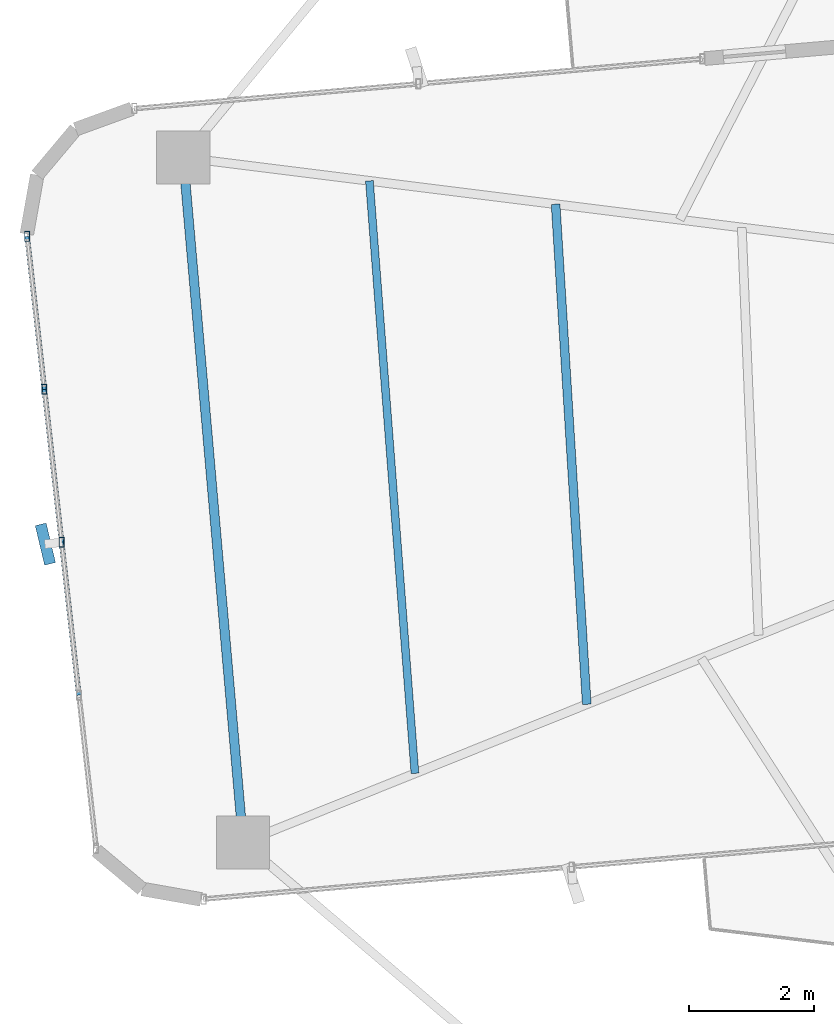
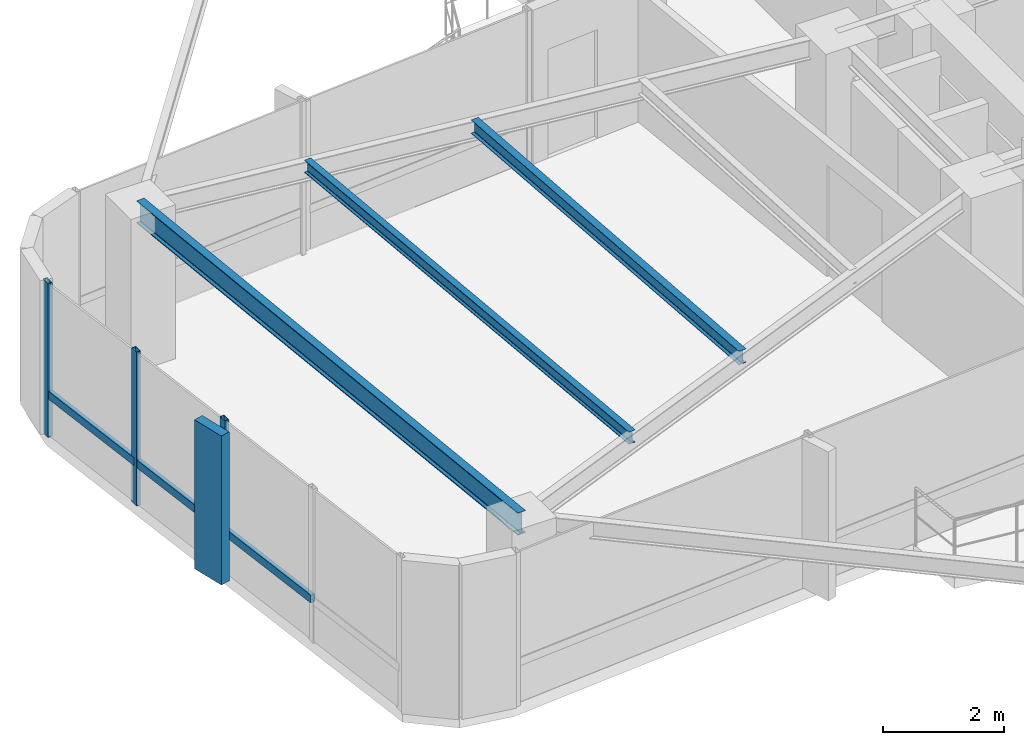
# One storey, part 8 of 24: 7 members, 3 beams, 1 element without a shape of its own.
"""IFC4 building model written with IfcOpenShell, lengths in metres."""

from ifc_helpers import new_model, si_unit, direction, frame, origin, origin_2d, place, context, subcontext, project, spatial, rectangle, hollow_rectangle, i_section, extrude, source, transform, mapped, material, material_profile, profile_set, type_object, element, aggregate, save


model = new_model("IFC4")

# Units and contexts
model_context = context("Model", 3, precision=1e-05, world=origin(), true_north=direction((0.0, 1.0)))
body_context = subcontext(model_context, "Body", "Model", "MODEL_VIEW")
ifc_project = project(units=[si_unit("LENGTHUNIT", "METRE"), si_unit("AREAUNIT", "SQUARE_METRE"), si_unit("VOLUMEUNIT", "CUBIC_METRE"), si_unit("PLANEANGLEUNIT", "RADIAN"), si_unit("MASSUNIT", "GRAM", prefix="KILO")], contexts=[model_context])

# Site, building, storey
site_placement = place(None, origin())
site = spatial("IfcSite", under=ifc_project, at=site_placement, CompositionType="ELEMENT")
building_placement = place(site_placement, origin())
building = spatial("IfcBuilding", under=site, at=building_placement, Name="Sahyath Konkavel Grand Hotel", CompositionType="ELEMENT")
storey_placement = place(building_placement, frame((0.0, 0.0, 188.60009765625)))
storey = spatial("IfcBuildingStorey", under=building, at=storey_placement, Name="L52", CompositionType="ELEMENT", Elevation=188.60009765625)

# Beams
ifc_material_1 = material(Name="Steel E350", Category="steel")
ifc_material_profile_1 = material_profile(ifc_material_1, i_section(OverallWidth=0.14990234375, OverallDepth=0.449951171875, WebThickness=0.009521484375, FlangeThickness=0.017333984375, FilletRadius=0.014892578125, at=origin_2d()), Name="ISMB 450")
ifc_profile_set_1 = profile_set([ifc_material_profile_1], Name="Steel E350")
beam_type_1 = type_object("IfcBeamType", Name="BM-ISMB450", PredefinedType="BEAM", material=ifc_profile_set_1)
shared_shape_1 = source(origin(), body_context, "Body", "SweptSolid", [
    extrude(i_section(OverallWidth=0.14990234375, OverallDepth=0.449951171875, WebThickness=0.009521484375, FlangeThickness=0.017333984375, FilletRadius=0.014892578125, at=origin_2d()), origin(), (0.0, 0.0, 1.0), 11.0),
])
beam_1_placement = place(storey_placement, frame((-17.912841796875, 3.953857421875, 2.885009765625), z_axis=(0.087157314015, -0.996194560622, 0.0), x_axis=(0.996194560622, 0.087157314015, 0.0)))
element("IfcBeam", 1, at=beam_1_placement, inside=storey, type_object=beam_type_1, Name="L52 Wing Tip Edge Beam W", PredefinedType="BEAM", context=body_context, shape_type="MappedRepresentation", body=[
    mapped(shared_shape_1, transform((0.0, 0.0, 0.0), scale=1.0)),
])
ifc_material_profile_2 = material_profile(ifc_material_1, i_section(OverallWidth=0.139892578125, OverallDepth=0.27490234375, WebThickness=0.00634765625, FlangeThickness=0.0087890625, FilletRadius=0.012939453125, at=origin_2d()), Name="ISLB 275")
ifc_profile_set_2 = profile_set([ifc_material_profile_2], Name="Steel E350")
beam_type_2 = type_object("IfcBeamType", Name="BM-ISLB275", PredefinedType="BEAM", material=ifc_profile_set_2)
shared_shape_2 = source(origin(), body_context, "Body", "SweptSolid", [
    extrude(i_section(OverallWidth=0.139892578125, OverallDepth=0.27490234375, WebThickness=0.00634765625, FlangeThickness=0.0087890625, FilletRadius=0.012939453125, at=origin_2d()), origin(), (0.0, 0.0, 1.0), 8.017822265625),
])
beam_2_placement = place(storey_placement, frame((-11.95458984375, 3.2080078125, 2.972412109375), z_axis=(0.062179233264, -0.998064999362, 0.0), x_axis=(0.998064999362, 0.062179233264, 0.0)))
element("IfcBeam", 2, at=beam_2_placement, inside=storey, type_object=beam_type_2, Name="L52 Secondary Floor Beam W-2", PredefinedType="BEAM", context=body_context, shape_type="MappedRepresentation", body=[
    mapped(shared_shape_2, transform((0.0, 0.0, 0.0), scale=1.0)),
])
ifc_material_profile_3 = material_profile(ifc_material_1, i_section(OverallWidth=0.125, OverallDepth=0.25, WebThickness=0.0068359375, FlangeThickness=0.012451171875, FilletRadius=0.012939453125, at=origin_2d()), Name="ISMB 250")
ifc_profile_set_3 = profile_set([ifc_material_profile_3], Name="Steel E350")
beam_type_3 = type_object("IfcBeamType", Name="BM-ISMB250", PredefinedType="BEAM", material=ifc_profile_set_3)
shared_shape_3 = source(origin(), body_context, "Body", "SweptSolid", [
    extrude(i_section(OverallWidth=0.125, OverallDepth=0.25, WebThickness=0.0068359375, FlangeThickness=0.012451171875, FilletRadius=0.012939453125, at=origin_2d()), origin(), (0.0, 0.0, 1.0), 9.508056640625),
])
beam_3_placement = place(storey_placement, frame((-14.93359375, 3.580810546875, 2.98486328125), z_axis=(0.076619921029, -0.997060373148, 0.0), x_axis=(0.997060373148, 0.076619921029, 0.0)))
element("IfcBeam", 3, at=beam_3_placement, inside=storey, type_object=beam_type_3, Name="L52 Secondary Floor Beam W-3", PredefinedType="BEAM", context=body_context, shape_type="MappedRepresentation", body=[
    mapped(shared_shape_3, transform((0.0, 0.0, 0.0), scale=1.0)),
])

# Curtain wall, members
ifc_material_2 = material(Name="Anodised Bronze Aluminium & Low-E Glazing", Category="aluminium")
curtain_wall_type = type_object("IfcCurtainWallType", Name="CW-ZONE3", PredefinedType="NOTDEFINED", material=ifc_material_2)
curtain_wall_placement = place(storey_placement, origin())
curtain_wall = element("IfcCurtainWall", 4, at=curtain_wall_placement, inside=storey, type_object=curtain_wall_type, Name="L52 Unitised Curtain Wall F20", PredefinedType="NOTDEFINED")
ifc_material_3 = material(Name="Anodised Bronze Aluminium", Category="aluminium")
ifc_material_profile_4 = material_profile(ifc_material_3, hollow_rectangle(XDim=0.080078125, YDim=0.159912109375, WallThickness=0.006103515625, at=origin_2d()), Name="RHS 160x80x6")
ifc_profile_set_4 = profile_set([ifc_material_profile_4], Name="Anodised Bronze Aluminium")
member_type_1 = type_object("IfcMemberType", Name="CW-MUL-160", PredefinedType="MULLION", material=ifc_profile_set_4)
shared_shape_4 = source(origin(), body_context, "Body", "SweptSolid", [
    extrude(hollow_rectangle(XDim=0.080078125, YDim=0.159912109375, WallThickness=0.006103515625, at=origin_2d()), origin(), (0.0, 0.0, 1.0), 3.10986328125),
])
member_1_placement = place(storey_placement, frame((-20.4111328125, 2.69140625, 0.0), z_axis=(0.0, 0.0, 1.0), x_axis=(1.0, 0.0, 0.0)))
member_1 = element("IfcMember", 5, at=member_1_placement, type_object=member_type_1, Name="L52 Curtain Wall Mullion F20-0", PredefinedType="MULLION", context=body_context, shape_type="MappedRepresentation", body=[
    mapped(shared_shape_4, transform((0.0, 0.0, 0.0), scale=1.0)),
])
member_2_placement = place(storey_placement, frame((-20.135498046875, 0.24462890625, 0.0), z_axis=(0.0, 0.0, 1.0), x_axis=(1.0, 0.0, 0.0)))
member_2 = element("IfcMember", 6, at=member_2_placement, type_object=member_type_1, Name="L52 Curtain Wall Mullion F20-1", PredefinedType="MULLION", context=body_context, shape_type="MappedRepresentation", body=[
    mapped(shared_shape_4, transform((0.0, 0.0, 0.0), scale=1.0)),
])
member_3_placement = place(storey_placement, frame((-19.859619140625, -2.201904296875, 0.0), z_axis=(0.0, 0.0, 1.0), x_axis=(1.0, 0.0, 0.0)))
member_3 = element("IfcMember", 7, at=member_3_placement, type_object=member_type_1, Name="L52 Curtain Wall Mullion F20-2", PredefinedType="MULLION", context=body_context, shape_type="MappedRepresentation", body=[
    mapped(shared_shape_4, transform((0.0, 0.0, 0.0), scale=1.0)),
])
ifc_material_4 = material(Name="Warm Buff Sandstone Cladding on Concrete C50/60", Category="masonry")
ifc_material_profile_5 = material_profile(ifc_material_4, rectangle(XDim=0.179931640625, YDim=0.64990234375, at=origin_2d()), Name="FIN 180x650")
ifc_profile_set_5 = profile_set([ifc_material_profile_5], Name="Warm Buff Sandstone Cladding on Concrete C50/60")
member_type_2 = type_object("IfcMemberType", Name="FIN-SANDSTONE-650", PredefinedType="MULLION", material=ifc_profile_set_5)
shared_shape_5 = source(origin(), body_context, "Body", "SweptSolid", [
    extrude(rectangle(XDim=0.179931640625, YDim=0.64990234375, at=origin_2d()), origin(), (0.0, 0.0, 1.0), 3.010009765625),
])
member_4_placement = place(storey_placement, frame((-20.1181640625, -2.23095703125, 0.0498046875), z_axis=(0.0, 0.0, 1.0), x_axis=(0.973138706701, 0.230219585439, 0.0)))
member_4 = element("IfcMember", 8, at=member_4_placement, type_object=member_type_2, Name="L52 Sandstone Vertical Solar Fin FIN F20-2", PredefinedType="MULLION", context=body_context, shape_type="MappedRepresentation", body=[
    mapped(shared_shape_5, transform((0.0, 0.0, 0.0), scale=1.0)),
])
ifc_material_profile_6 = material_profile(ifc_material_3, hollow_rectangle(XDim=0.080078125, YDim=0.159912109375, WallThickness=0.006103515625, at=origin_2d()), Name="RHS 160x80x6")
ifc_profile_set_6 = profile_set([ifc_material_profile_6], Name="Anodised Bronze Aluminium")
member_type_3 = type_object("IfcMemberType", Name="CW-TRN-160", PredefinedType="USERDEFINED", material=ifc_profile_set_6)
shared_shape_6 = source(origin(), body_context, "Body", "SweptSolid", [
    extrude(hollow_rectangle(XDim=0.080078125, YDim=0.159912109375, WallThickness=0.006103515625, at=origin_2d()), origin(), (0.0, 0.0, 1.0), 2.462158203125),
])
member_5_placement = place(storey_placement, frame((-20.4111328125, 2.69140625, 0.849853515625), z_axis=(0.11194409079, -0.993714506555, 0.0), x_axis=(0.993714506555, 0.11194409079, 0.0)))
member_5 = element("IfcMember", 9, at=member_5_placement, type_object=member_type_3, Name="L52 Curtain Wall Transom F20-0-spandrel", ObjectType="TRANSOM", PredefinedType="USERDEFINED", context=body_context, shape_type="MappedRepresentation", body=[
    mapped(shared_shape_6, transform((0.0, 0.0, 0.0), scale=1.0)),
])
member_6_placement = place(storey_placement, frame((-20.135498046875, 0.24462890625, 0.849853515625), z_axis=(0.112053040279, -0.99370222711, 0.0), x_axis=(0.99370222711, 0.112053040279, 0.0)))
member_6 = element("IfcMember", 10, at=member_6_placement, type_object=member_type_3, Name="L52 Curtain Wall Transom F20-1-spandrel", ObjectType="TRANSOM", PredefinedType="USERDEFINED", context=body_context, shape_type="MappedRepresentation", body=[
    mapped(shared_shape_6, transform((0.0, 0.0, 0.0), scale=1.0)),
])
shared_shape_7 = source(origin(), body_context, "Body", "SweptSolid", [
    extrude(hollow_rectangle(XDim=0.080078125, YDim=0.159912109375, WallThickness=0.006103515625, at=origin_2d()), origin(), (0.0, 0.0, 1.0), 2.461669921875),
])
member_7_placement = place(storey_placement, frame((-19.859619140625, -2.201904296875, 0.849853515625), z_axis=(0.111966154832, -0.993712020744, 0.0), x_axis=(0.993712020744, 0.111966154832, 0.0)))
member_7 = element("IfcMember", 11, at=member_7_placement, type_object=member_type_3, Name="L52 Curtain Wall Transom F20-2-spandrel", ObjectType="TRANSOM", PredefinedType="USERDEFINED", context=body_context, shape_type="MappedRepresentation", body=[
    mapped(shared_shape_7, transform((0.0, 0.0, 0.0), scale=1.0)),
])
aggregate(curtain_wall, [member_1, member_2, member_3, member_4, member_5, member_6, member_7])

save(model, "model.ifc")
